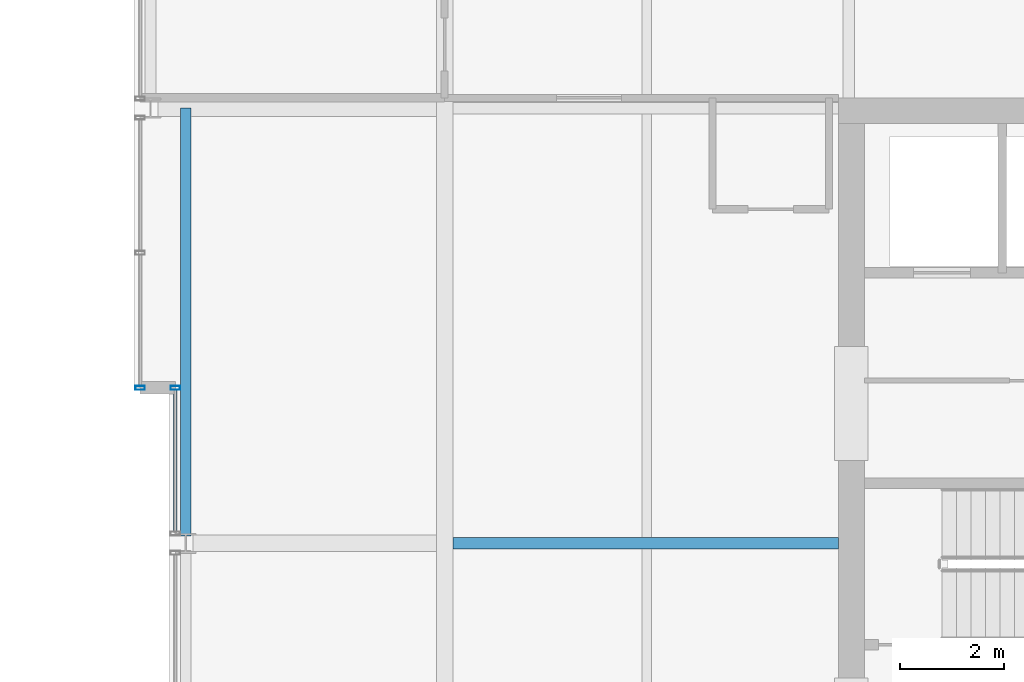
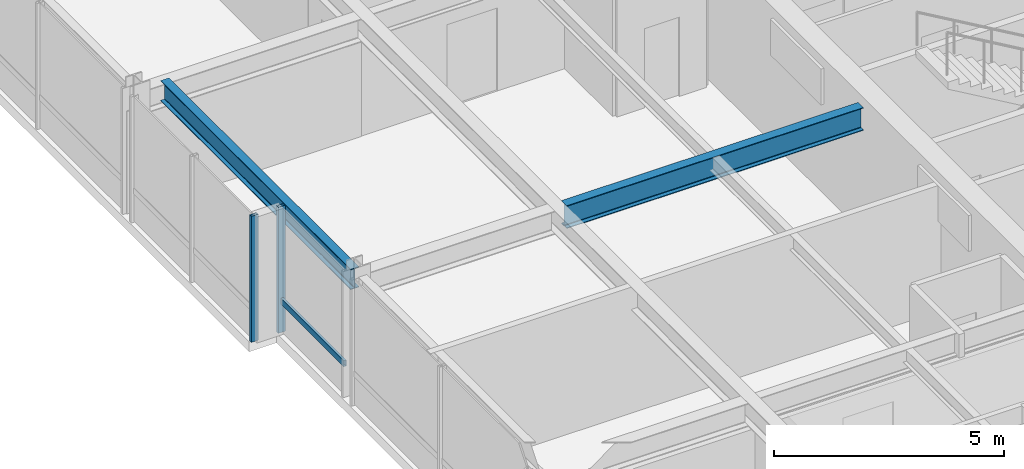
# One storey, part 10 of 31: 3 members, 2 beams, 2 elements without a shape of their own.
"""IFC4 building model written with IfcOpenShell, lengths in metres."""

from ifc_helpers import new_model, si_unit, direction, frame, origin, origin_2d, place, context, subcontext, project, spatial, hollow_rectangle, i_section, extrude, material, layer, layer_set, material_profile, profile_set, type_object, element, aggregate, save


model = new_model("IFC4")

# Units and contexts
model_context = context("Model", 3, precision=1e-05, world=origin(), true_north=direction((0.0, 1.0)))
body_context = subcontext(model_context, "Body", "Model", "MODEL_VIEW")
ifc_project = project(units=[si_unit("LENGTHUNIT", "METRE"), si_unit("AREAUNIT", "SQUARE_METRE"), si_unit("VOLUMEUNIT", "CUBIC_METRE"), si_unit("PLANEANGLEUNIT", "RADIAN"), si_unit("MASSUNIT", "GRAM", prefix="KILO")], contexts=[model_context])

# Site, building, storey
site_placement = place(None, origin())
site = spatial("IfcSite", under=ifc_project, at=site_placement, CompositionType="ELEMENT")
building_placement = place(site_placement, origin())
building = spatial("IfcBuilding", under=site, at=building_placement, Name="Drelvath Grand Hotel", CompositionType="ELEMENT")
storey_placement = place(building_placement, frame((0.0, 0.0, 230.300048828125)))
storey = spatial("IfcBuildingStorey", under=building, at=storey_placement, Name="L60", CompositionType="ELEMENT", Elevation=230.300048828125)

# Curtain wall, members
ifc_material_1 = material(Name="Platinum-Mist Anodised Aluminium Frame", Category="aluminium")
ifc_layer = layer(ifc_material_1, 0.199951171875)
ifc_layer_set = layer_set([ifc_layer], Name="Platinum-Mist Anodised Aluminium Frame")
curtain_wall_type = type_object("IfcCurtainWallType", Name="Stick Curtain Wall CW-05 Platinum Mist High-Rise", PredefinedType="NOTDEFINED", material=ifc_layer_set)
curtain_wall_1_placement = place(storey_placement, origin())
curtain_wall_1 = element("IfcCurtainWall", 1, at=curtain_wall_1_placement, inside=storey, type_object=curtain_wall_type, Name="L60 CW-05 Curtain Wall CW05-L60-WM2", PredefinedType="NOTDEFINED")
ifc_material_profile_1 = material_profile(ifc_material_1, hollow_rectangle(XDim=0.06494140625, YDim=0.159912109375, WallThickness=0.00390625, at=origin_2d()), Name="HSS160X65X4")
ifc_profile_set_1 = profile_set([ifc_material_profile_1], Name="Platinum-Mist Anodised Aluminium Frame")
member_type_1 = type_object("IfcMemberType", Name="Curtain Wall Horizontal Transom CW-05 HSS160X65X4", PredefinedType="USERDEFINED", material=ifc_profile_set_1)
member_1_placement = place(storey_placement, frame((-21.39990234375, 27.225341796875, 0.8349609375), z_axis=(0.0, 1.0, 0.0), x_axis=(-1.0, 0.0, 0.0)))
member_1 = element("IfcMember", 2, at=member_1_placement, type_object=member_type_1, Name="CW05-L60-WM2 Sill Transom", ObjectType="TRANSOM", PredefinedType="USERDEFINED", context=body_context, shape_type="SweptSolid", body=[
    extrude(hollow_rectangle(XDim=0.06494140625, YDim=0.159912109375, WallThickness=0.00390625, at=origin_2d()), origin(), (0.0, 0.0, 1.0), 2.734619140625),
])
ifc_material_profile_2 = material_profile(ifc_material_1, hollow_rectangle(XDim=0.074951171875, YDim=0.179931640625, WallThickness=0.0048828125, at=origin_2d()), Name="HSS180X75X5")
ifc_profile_set_2 = profile_set([ifc_material_profile_2], Name="Platinum-Mist Anodised Aluminium Frame")
member_type_2 = type_object("IfcMemberType", Name="Curtain Wall Vertical Mullion CW-05 HSS180X75X5", PredefinedType="MULLION", material=ifc_profile_set_2)
member_2_placement = place(storey_placement, frame((-21.39990234375, 30.0, 0.0), z_axis=(0.0, 0.0, 1.0), x_axis=(0.0, 1.0, 0.0)))
member_2 = element("IfcMember", 3, at=member_2_placement, type_object=member_type_2, Name="CW05-L60-WM2 Mullion 2", PredefinedType="MULLION", context=body_context, shape_type="SweptSolid", body=[
    extrude(hollow_rectangle(XDim=0.074951171875, YDim=0.179931640625, WallThickness=0.0048828125, at=origin_2d()), origin(), (0.0, 0.0, 1.0), 3.33984375),
])
aggregate(curtain_wall_1, [member_2, member_1])

# Curtain wall, member
curtain_wall_2_placement = place(storey_placement, origin())
curtain_wall_2 = element("IfcCurtainWall", 4, at=curtain_wall_2_placement, inside=storey, type_object=curtain_wall_type, Name="L60 CW-05 Curtain Wall CW05-L60-WN1", PredefinedType="NOTDEFINED")
member_3_placement = place(storey_placement, frame((-22.080078125, 30.0, 0.0), z_axis=(0.0, 0.0, 1.0), x_axis=(0.0, 1.0, 0.0)))
member_3 = element("IfcMember", 5, at=member_3_placement, type_object=member_type_2, Name="CW05-L60-WN1 Mullion 1", PredefinedType="MULLION", context=body_context, shape_type="SweptSolid", body=[
    extrude(hollow_rectangle(XDim=0.074951171875, YDim=0.179931640625, WallThickness=0.0048828125, at=origin_2d()), origin(), (0.0, 0.0, 1.0), 3.33984375),
])
aggregate(curtain_wall_2, [member_3])

# Beams
ifc_material_2 = material(Name="Steel ASTM A992 Gr 50", Category="steel")
ifc_material_profile_3 = material_profile(ifc_material_2, i_section(OverallWidth=0.210205078125, OverallDepth=0.53662109375, WebThickness=0.010986328125, FlangeThickness=0.017333984375, FilletRadius=0.01806640625, at=origin_2d()), Name="W21X68")
ifc_profile_set_3 = profile_set([ifc_material_profile_3], Name="Steel ASTM A992 Gr 50")
beam_type_1 = type_object("IfcBeamType", Name="Perimeter Spandrel Beam W21X68", PredefinedType="SPANDREL", material=ifc_profile_set_3)
beam_1_placement = place(storey_placement, frame((-21.199951171875, 27.139892578125, 3.071533203125), z_axis=(0.0, 1.0, 0.0), x_axis=(-1.0, 0.0, 0.0)))
element("IfcBeam", 6, at=beam_1_placement, inside=storey, type_object=beam_type_1, Name="L60 Spandrel West Mid N", PredefinedType="SPANDREL", context=body_context, shape_type="SweptSolid", body=[
    extrude(i_section(OverallWidth=0.210205078125, OverallDepth=0.53662109375, WebThickness=0.010986328125, FlangeThickness=0.017333984375, FilletRadius=0.01806640625, at=origin_2d()), origin(), (0.0, 0.0, 1.0), 8.260009765625),
])
ifc_material_profile_4 = material_profile(ifc_material_2, i_section(OverallWidth=0.228271484375, OverallDepth=0.607666015625, WebThickness=0.01123046875, FlangeThickness=0.017333984375, FilletRadius=0.02001953125, at=origin_2d()), Name="W24X76")
ifc_profile_set_4 = profile_set([ifc_material_profile_4], Name="Steel ASTM A992 Gr 50")
beam_type_2 = type_object("IfcBeamType", Name="Primary Floor Girder W24X76", PredefinedType="BEAM", material=ifc_profile_set_4)
beam_2_placement = place(storey_placement, frame((-16.0380859375, 27.0, 3.0361328125), z_axis=(1.0, 0.0, 0.0), x_axis=(0.0, 1.0, 0.0)))
element("IfcBeam", 7, at=beam_2_placement, inside=storey, type_object=beam_type_2, Name="L60 West Core Tie E", PredefinedType="BEAM", context=body_context, shape_type="SweptSolid", body=[
    extrude(i_section(OverallWidth=0.228271484375, OverallDepth=0.607666015625, WebThickness=0.01123046875, FlangeThickness=0.017333984375, FilletRadius=0.02001953125, at=origin_2d()), origin(), (0.0, 0.0, 1.0), 7.43798828125),
])

save(model, "model.ifc")
